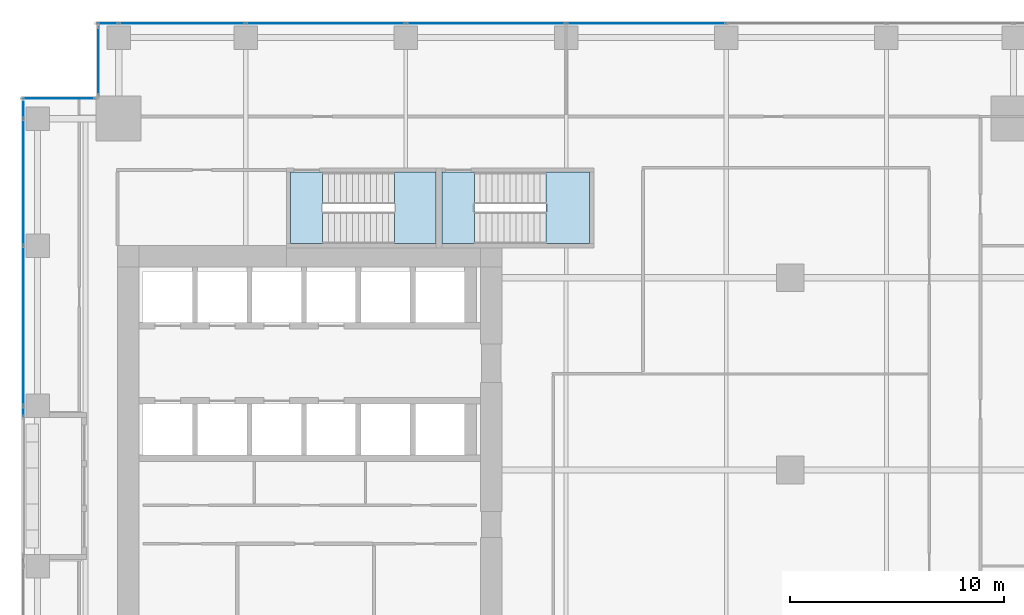
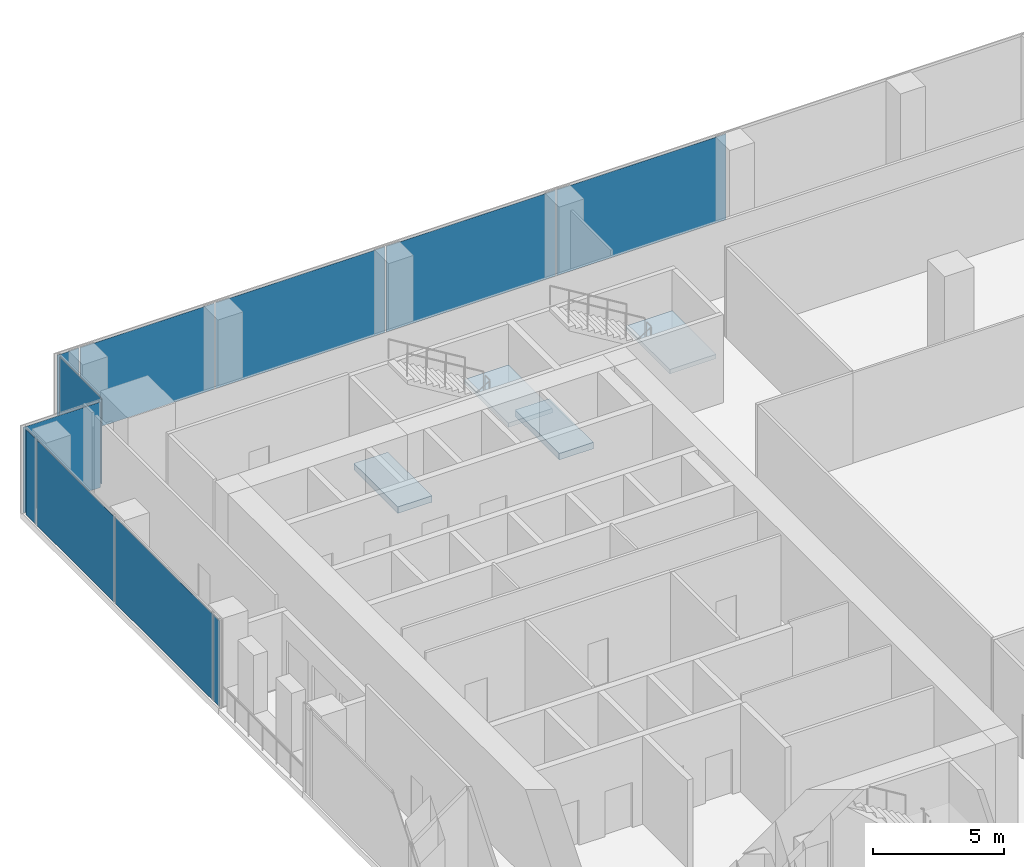
# One storey, part 26 of 35: 11 plates, 4 slabs, 6 elements without a shape of their own.
"""IFC4 building model written with IfcOpenShell, lengths in metres."""

from ifc_helpers import new_model, si_unit, direction, frame, origin, origin_2d, place, context, subcontext, project, spatial, polyline, rectangle, outline, extrude, source, transform, mapped, material, layer, layer_set, type_object, element, aggregate, save


model = new_model("IFC4")

# Units and contexts
model_context = context("Model", 3, precision=1e-05, world=origin(), true_north=direction((0.0, 1.0)))
body_context = subcontext(model_context, "Body", "Model", "MODEL_VIEW")
ifc_project = project(units=[si_unit("LENGTHUNIT", "METRE"), si_unit("AREAUNIT", "SQUARE_METRE"), si_unit("VOLUMEUNIT", "CUBIC_METRE"), si_unit("PLANEANGLEUNIT", "RADIAN"), si_unit("MASSUNIT", "GRAM", prefix="KILO")], contexts=[model_context])

# Site, building, storey
site_placement = place(None, origin())
site = spatial("IfcSite", under=ifc_project, at=site_placement, CompositionType="ELEMENT")
building_placement = place(site_placement, origin())
building = spatial("IfcBuilding", under=site, at=building_placement, Name="Khomas Fold Tower", CompositionType="ELEMENT")
storey_placement = place(building_placement, frame((0.0, 0.0, 136.699951171875)))
storey = spatial("IfcBuildingStorey", under=building, at=storey_placement, Name="L29", CompositionType="ELEMENT", Elevation=136.699951171875)

# Curtain wall, plate
ifc_material_1 = material(Name="Aluminium framed double glazing", Category="aluminium")
curtain_wall_type = type_object("IfcCurtainWallType", Name="SK-Unitised clear-glass wall, growing floors CW1", PredefinedType="NOTDEFINED", material=ifc_material_1)
curtain_wall_1_placement = place(storey_placement, origin())
curtain_wall_1 = element("IfcCurtainWall", 1, at=curtain_wall_1_placement, inside=storey, type_object=curtain_wall_type, Name="CW1 run L29 09-0", PredefinedType="NOTDEFINED")
ifc_material_2 = material(Name="Clear double glazed unit")
ifc_layer_1 = layer(ifc_material_2, 0.031982421875)
ifc_layer_set_1 = layer_set([ifc_layer_1], Name="Clear double glazed unit")
plate_type = type_object("IfcPlateType", Name="SK-Unitised clear-glass wall, growing floors glass panel CW1-P", PredefinedType="CURTAIN_PANEL", material=ifc_layer_set_1)
shared_shape_1 = source(origin(), body_context, "Body", "SweptSolid", [
    extrude(rectangle(XDim=0.760009765625, YDim=0.031982421875, at=origin_2d()), origin(), (0.0, 0.0, 1.0), 3.97998046875),
])
plate_1_placement = place(storey_placement, frame((1.60009765625, 48.360107421875, 0.0), z_axis=(0.0, 0.0, 1.0), x_axis=(0.0, -1.0, 0.0)))
plate_1 = element("IfcPlate", 2, at=plate_1_placement, type_object=plate_type, Name="CW1 glass panel 1", PredefinedType="CURTAIN_PANEL", context=body_context, shape_type="MappedRepresentation", body=[
    mapped(shared_shape_1, transform((0.0, 0.0, 0.0))),
])

curtain_wall_2_placement = place(storey_placement, origin())
curtain_wall_2 = element("IfcCurtainWall", 3, at=curtain_wall_2_placement, inside=storey, type_object=curtain_wall_type, Name="CW1 run L29 06-0", PredefinedType="NOTDEFINED")
shared_shape_2 = source(origin(), body_context, "Body", "SweptSolid", [
    extrude(rectangle(XDim=5.889892578125, YDim=0.031982421875, at=origin_2d()), origin(), (0.0, 0.0, 1.0), 3.97998046875),
])
plate_2_placement = place(storey_placement, frame((9.02490234375, 52.39990234375, 0.0), z_axis=(0.0, 0.0, 1.0), x_axis=(-1.0, 0.0, 0.0)))
plate_2 = element("IfcPlate", 4, at=plate_2_placement, type_object=plate_type, Name="CW1 glass panel 7", PredefinedType="CURTAIN_PANEL", context=body_context, shape_type="MappedRepresentation", body=[
    mapped(shared_shape_2, transform((0.0, 0.0, 0.0))),
])

# Plate
plate_3_placement = place(storey_placement, frame((1.60009765625, 44.97509765625, 0.0), z_axis=(0.0, 0.0, 1.0), x_axis=(0.0, -1.0, 0.0)))
plate_3 = element("IfcPlate", 5, at=plate_3_placement, type_object=plate_type, Name="CW1 glass panel 2", PredefinedType="CURTAIN_PANEL", context=body_context, shape_type="MappedRepresentation", body=[
    mapped(shared_shape_2, transform((0.0, 0.0, 0.0))),
])

shared_shape_3 = source(origin(), body_context, "Body", "SweptSolid", [
    extrude(rectangle(XDim=7.43994140625, YDim=0.031982421875, at=origin_2d()), origin(), (0.0, 0.0, 1.0), 3.97998046875),
])
plate_4_placement = place(storey_placement, frame((30.75, 52.39990234375, 0.0), z_axis=(0.0, 0.0, 1.0), x_axis=(-1.0, 0.0, 0.0)))
plate_4 = element("IfcPlate", 6, at=plate_4_placement, type_object=plate_type, Name="CW1 glass panel 4", PredefinedType="CURTAIN_PANEL", context=body_context, shape_type="MappedRepresentation", body=[
    mapped(shared_shape_3, transform((0.0, 0.0, 0.0))),
])

plate_5_placement = place(storey_placement, frame((23.25, 52.39990234375, 0.0), z_axis=(0.0, 0.0, 1.0), x_axis=(-1.0, 0.0, 0.0)))
plate_5 = element("IfcPlate", 7, at=plate_5_placement, type_object=plate_type, Name="CW1 glass panel 5", PredefinedType="CURTAIN_PANEL", context=body_context, shape_type="MappedRepresentation", body=[
    mapped(shared_shape_3, transform((0.0, 0.0, 0.0))),
])

plate_6_placement = place(storey_placement, frame((15.75, 52.39990234375, 0.0), z_axis=(0.0, 0.0, 1.0), x_axis=(-1.0, 0.0, 0.0)))
plate_6 = element("IfcPlate", 8, at=plate_6_placement, type_object=plate_type, Name="CW1 glass panel 6", PredefinedType="CURTAIN_PANEL", context=body_context, shape_type="MappedRepresentation", body=[
    mapped(shared_shape_3, transform((0.0, 0.0, 0.0))),
])

plate_7_placement = place(storey_placement, frame((1.60009765625, 38.25, 0.0), z_axis=(0.0, 0.0, 1.0), x_axis=(0.0, -1.0, 0.0)))
plate_7 = element("IfcPlate", 9, at=plate_7_placement, type_object=plate_type, Name="CW1 glass panel 3", PredefinedType="CURTAIN_PANEL", context=body_context, shape_type="MappedRepresentation", body=[
    mapped(shared_shape_3, transform((0.0, 0.0, 0.0))),
])

shared_shape_4 = source(origin(), body_context, "Body", "SweptSolid", [
    extrude(rectangle(XDim=0.9599609375, YDim=0.031982421875, at=origin_2d()), origin(), (0.0, 0.0, 1.0), 3.97998046875),
])
plate_8_placement = place(storey_placement, frame((5.5400390625, 52.39990234375, 0.0), z_axis=(0.0, 0.0, 1.0), x_axis=(-1.0, 0.0, 0.0)))
plate_8 = element("IfcPlate", 10, at=plate_8_placement, type_object=plate_type, Name="CW1 glass panel 8", PredefinedType="CURTAIN_PANEL", context=body_context, shape_type="MappedRepresentation", body=[
    mapped(shared_shape_4, transform((0.0, 0.0, 0.0))),
])

aggregate(curtain_wall_2, [plate_4, plate_5, plate_6, plate_2, plate_8])

# Curtain wall, plate
curtain_wall_3_placement = place(storey_placement, origin())
curtain_wall_3 = element("IfcCurtainWall", 11, at=curtain_wall_3_placement, inside=storey, type_object=curtain_wall_type, Name="CW1 corner return L29 07", PredefinedType="NOTDEFINED")
shared_shape_5 = source(origin(), body_context, "Body", "SweptSolid", [
    extrude(rectangle(XDim=3.179931640625, YDim=0.031982421875, at=origin_2d()), origin(), (0.0, 0.0, 1.0), 3.97998046875),
])
plate_9_placement = place(storey_placement, frame((5.10009765625, 50.64990234375, 0.0), z_axis=(0.0, 0.0, 1.0), x_axis=(0.0, -1.0, 0.0)))
plate_9 = element("IfcPlate", 12, at=plate_9_placement, type_object=plate_type, Name="CW1 glass panel 1", PredefinedType="CURTAIN_PANEL", context=body_context, shape_type="MappedRepresentation", body=[
    mapped(shared_shape_5, transform((0.0, 0.0, 0.0))),
])
aggregate(curtain_wall_3, [plate_9])

curtain_wall_4_placement = place(storey_placement, origin())
curtain_wall_4 = element("IfcCurtainWall", 13, at=curtain_wall_4_placement, inside=storey, type_object=curtain_wall_type, Name="CW1 corner return L29 08", PredefinedType="NOTDEFINED")
shared_shape_6 = source(origin(), body_context, "Body", "SweptSolid", [
    extrude(rectangle(XDim=3.3798828125, YDim=0.031982421875, at=origin_2d()), origin(), (0.0, 0.0, 1.0), 3.97998046875),
])
plate_10_placement = place(storey_placement, frame((3.25, 48.89990234375, 0.0), z_axis=(0.0, 0.0, 1.0), x_axis=(-1.0, 0.0, 0.0)))
plate_10 = element("IfcPlate", 14, at=plate_10_placement, type_object=plate_type, Name="CW1 glass panel 1", PredefinedType="CURTAIN_PANEL", context=body_context, shape_type="MappedRepresentation", body=[
    mapped(shared_shape_6, transform((0.0, 0.0, 0.0))),
])
aggregate(curtain_wall_4, [plate_10])

# Plate
shared_shape_7 = source(origin(), body_context, "Body", "SweptSolid", [
    extrude(rectangle(XDim=0.4599609375, YDim=0.031982421875, at=origin_2d()), origin(), (0.0, 0.0, 1.0), 3.97998046875),
])
plate_11_placement = place(storey_placement, frame((1.60009765625, 34.239990234375, 0.0), z_axis=(0.0, 0.0, 1.0), x_axis=(0.0, -1.0, 0.0)))
plate_11 = element("IfcPlate", 15, at=plate_11_placement, type_object=plate_type, Name="CW1 glass panel 4", PredefinedType="CURTAIN_PANEL", context=body_context, shape_type="MappedRepresentation", body=[
    mapped(shared_shape_7, transform((0.0, 0.0, 0.0))),
])

aggregate(curtain_wall_1, [plate_1, plate_3, plate_7, plate_11])

# Stair, slab
ifc_material_3 = material(Name="Concrete C40/50", Category="concrete")
stair_type_1 = type_object("IfcStairType", Name="Stair ST1", PredefinedType="HALF_TURN_STAIR", material=ifc_material_3)
stair_1_placement = place(storey_placement, origin())
stair_1 = element("IfcStair", 16, at=stair_1_placement, inside=storey, type_object=stair_type_1, Name="L29 ST1", PredefinedType="HALF_TURN_STAIR")
ifc_material_4 = material(Name="Concrete C40/50", Category="concrete")
ifc_layer_2 = layer(ifc_material_4, 0.199951171875)
ifc_layer_set_2 = layer_set([ifc_layer_2], Name="Concrete C40/50")
slab_type_1 = type_object("IfcSlabType", Name="Stair landing 200", PredefinedType="LANDING", material=ifc_layer_set_2)
shared_shape_8 = source(origin(), body_context, "Body", "SweptSolid", [
    extrude(outline(polyline([(18.9599609375, 42.10009765625), (20.89990234375, 42.10009765625), (20.89990234375, 45.449951171875), (18.9599609375, 45.449951171875), (18.9599609375, 42.10009765625)])), origin(), (0.0, 0.0, 1.0), 0.199951171875),
])
slab_1_placement = place(storey_placement, frame((0.0, 0.0, 2.0)))
slab_1 = element("IfcSlab", 17, at=slab_1_placement, type_object=slab_type_1, Name="ST1 landing 1", PredefinedType="LANDING", context=body_context, shape_type="MappedRepresentation", body=[
    mapped(shared_shape_8, transform((0.0, 0.0, 0.0))),
])
aggregate(stair_1, [slab_1])

# Slab
ifc_material_5 = material(Name="Concrete C40/50", Category="concrete")
ifc_layer_3 = layer(ifc_material_5, 0.300048828125)
ifc_layer_set_3 = layer_set([ifc_layer_3], Name="Concrete C40/50")
slab_type_2 = type_object("IfcSlabType", Name="Stair floor landing 300", PredefinedType="LANDING", material=ifc_layer_set_3)
shared_shape_9 = source(origin(), body_context, "Body", "SweptSolid", [
    extrude(outline(polyline([(15.60009765625, 42.10009765625), (14.10009765625, 42.10009765625), (14.10009765625, 45.449951171875), (15.60009765625, 45.449951171875), (15.60009765625, 42.10009765625)])), origin(), (0.0, 0.0, 1.0), 0.300048828125),
])
slab_2_placement = place(storey_placement, frame((0.0, 0.0, -0.300048828125)))
element("IfcSlab", 18, at=slab_2_placement, inside=storey, type_object=slab_type_2, Name="ST1 floor landing", PredefinedType="LANDING", context=body_context, shape_type="MappedRepresentation", body=[
    mapped(shared_shape_9, transform((0.0, 0.0, 0.0))),
])

# Stair, slab
ifc_material_6 = material(Name="Concrete C40/50", Category="concrete")
stair_type_2 = type_object("IfcStairType", Name="Stair ST3", PredefinedType="HALF_TURN_STAIR", material=ifc_material_6)
stair_2_placement = place(storey_placement, origin())
stair_2 = element("IfcStair", 19, at=stair_2_placement, inside=storey, type_object=stair_type_2, Name="L29 ST3", PredefinedType="HALF_TURN_STAIR")
shared_shape_10 = source(origin(), body_context, "Body", "SweptSolid", [
    extrude(outline(polyline([(26.06005859375, 42.10009765625), (28.10009765625, 42.10009765625), (28.10009765625, 45.449951171875), (26.06005859375, 45.449951171875), (26.06005859375, 42.10009765625)])), origin(), (0.0, 0.0, 1.0), 0.199951171875),
])
slab_3_placement = place(storey_placement, frame((0.0, 0.0, 2.0)))
slab_3 = element("IfcSlab", 20, at=slab_3_placement, type_object=slab_type_1, Name="ST3 landing 1", PredefinedType="LANDING", context=body_context, shape_type="MappedRepresentation", body=[
    mapped(shared_shape_10, transform((0.0, 0.0, 0.0))),
])
aggregate(stair_2, [slab_3])

# Slab
shared_shape_11 = source(origin(), body_context, "Body", "SweptSolid", [
    extrude(outline(polyline([(22.699951171875, 42.10009765625), (21.199951171875, 42.10009765625), (21.199951171875, 45.449951171875), (22.699951171875, 45.449951171875), (22.699951171875, 42.10009765625)])), origin(), (0.0, 0.0, 1.0), 0.300048828125),
])
slab_4_placement = place(storey_placement, frame((0.0, 0.0, -0.300048828125)))
element("IfcSlab", 21, at=slab_4_placement, inside=storey, type_object=slab_type_2, Name="ST3 floor landing", PredefinedType="LANDING", context=body_context, shape_type="MappedRepresentation", body=[
    mapped(shared_shape_11, transform((0.0, 0.0, 0.0))),
])

save(model, "model.ifc")
